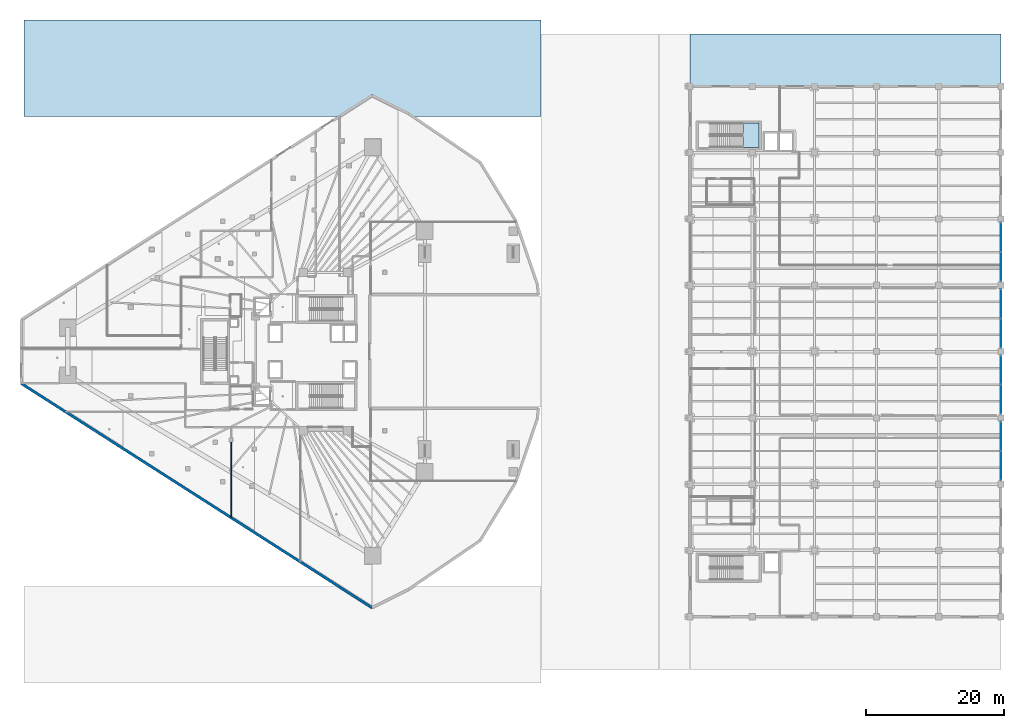
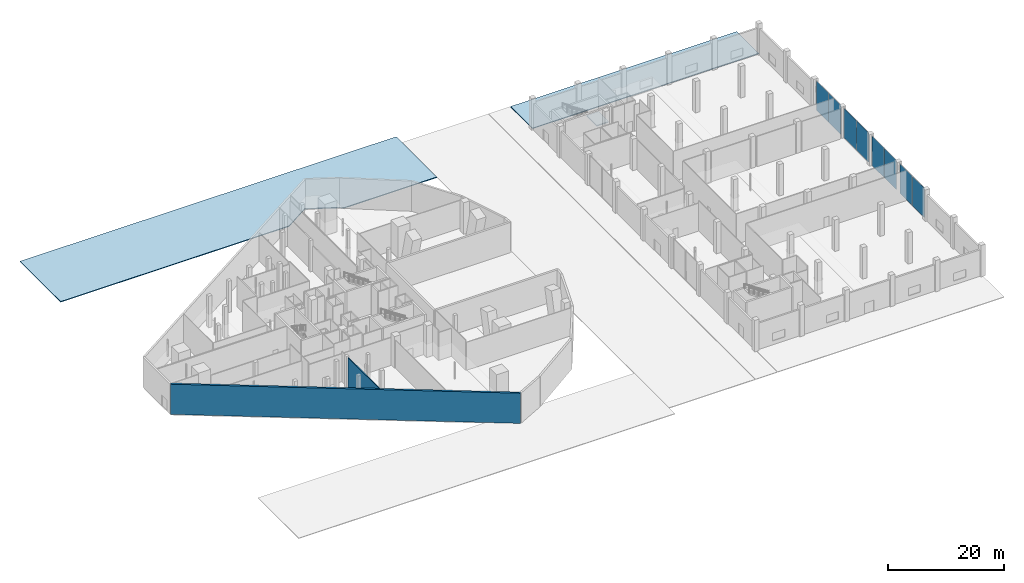
# One storey, part 25 of 45: 8 plates, 3 slabs, 2 walls, 5 elements without a shape of their own.
"""IFC4 building model written with IfcOpenShell, lengths in metres."""

import ifcopenshell
import ifcopenshell.guid

model = None  # the IFC model being written
_history = None  # IfcOwnerHistory: only IFC2X3 demands one
_inside = {}  # id of a spatial element -> (the spatial element, [elements in it])
_under = {}  # id of a project, library or spatial element -> (it, [spatial elements below it])
_declared = {}  # id of a project -> (the project, [libraries it declares])
_typed = {}  # id of a type object -> (the type object, [elements of that type])
_made_of = {}  # id of a material, layer set ... -> (it, [elements and type objects made of it])


def new_model(schema):
    """Start an empty IFC model of exactly this schema.

    Asked for "IFC4X3", IfcOpenShell would pick the latest addendum, in which some entities
    have other attributes; the version numbers below select the first issue.
    IFC2X3 requires an IfcOwnerHistory on every rooted entity: one is made here for all.
    """
    global model, _history
    if schema == "IFC4X3":
        model = ifcopenshell.file(schema_version=(4, 3, 0, 0))
    else:
        model = ifcopenshell.file(schema=schema)
    _inside.clear()
    _under.clear()
    _declared.clear()
    _typed.clear()
    _made_of.clear()
    _history = None
    if model.schema == "IFC2X3":
        org = make("IfcOrganization", Name="unknown")
        user = make(
            "IfcPersonAndOrganization",
            ThePerson=make("IfcPerson", FamilyName="unknown"),
            TheOrganization=org,
        )
        app = make(
            "IfcApplication",
            ApplicationDeveloper=org,
            Version="unknown",
            ApplicationFullName="unknown",
            ApplicationIdentifier="unknown",
        )
        _history = make(
            "IfcOwnerHistory",
            OwningUser=user,
            OwningApplication=app,
            ChangeAction="ADDED",
            CreationDate=0,
        )
    return model


def make(cls, **values):
    """One entity of the class cls with the attributes given. An attribute that is None is left unset."""
    return model.create_entity(
        cls, **{name: value for name, value in values.items() if value is not None}
    )


def rooted(cls, **values):
    """An entity with a GlobalId (a new one), such as an element, a storey or a relation."""
    return make(cls, GlobalId=ifcopenshell.guid.new(), OwnerHistory=_history, **values)


def si_unit(unit_type, name, prefix=None):
    """IfcSIUnit, for example si_unit("LENGTHUNIT", "METRE", prefix="MILLI")."""
    return make("IfcSIUnit", UnitType=unit_type, Prefix=prefix, Name=name)


def assignment(units):
    """IfcUnitAssignment: the units of a project."""
    return None if units is None else make("IfcUnitAssignment", Units=units)


def point(xyz):
    """IfcCartesianPoint."""
    return None if xyz is None else make("IfcCartesianPoint", Coordinates=xyz)


def direction(xyz):
    """IfcDirection."""
    return None if xyz is None else make("IfcDirection", DirectionRatios=xyz)


def frame(location, z_axis=None, x_axis=None):
    """IfcAxis2Placement3D, a coordinate frame: its origin and axes. An axis left out is left unset."""
    return make(
        "IfcAxis2Placement3D",
        Location=point(location),
        Axis=direction(z_axis),
        RefDirection=direction(x_axis),
    )


def frame_2d(location, x_axis=None):
    """IfcAxis2Placement2D, a coordinate frame in the plane: its origin and x axis."""
    return make(
        "IfcAxis2Placement2D", Location=point(location), RefDirection=direction(x_axis)
    )


def origin():
    """The frame at (0, 0, 0) with its axes left unset."""
    return frame((0.0, 0.0, 0.0))


def origin_2d():
    """The frame at (0, 0) in the plane with its x axis left unset."""
    return frame_2d((0.0, 0.0))


def place(relative_to, where):
    """IfcLocalPlacement: puts the frame where relative to a parent placement (None: the world)."""
    return make(
        "IfcLocalPlacement", PlacementRelTo=relative_to, RelativePlacement=where
    )


def context(
    kind, dimensions, precision=None, world=None, true_north=None, identifier=None
):
    """IfcGeometricRepresentationContext, for example the 3D "Model" context."""
    return make(
        "IfcGeometricRepresentationContext",
        ContextIdentifier=identifier,
        ContextType=kind,
        CoordinateSpaceDimension=dimensions,
        Precision=precision,
        WorldCoordinateSystem=world,
        TrueNorth=true_north,
    )


def subcontext(parent, identifier, kind, view, scale=None):
    """IfcGeometricRepresentationSubContext, for example "Body" below "Model"."""
    return make(
        "IfcGeometricRepresentationSubContext",
        ContextIdentifier=identifier,
        ContextType=kind,
        ParentContext=parent,
        TargetScale=scale,
        TargetView=view,
    )


def project(units=None, contexts=None):
    """IfcProject with its units and contexts."""
    return rooted(
        "IfcProject",
        Name="project",
        RepresentationContexts=contexts,
        UnitsInContext=assignment(units),
    )


def spatial(cls, under=None, at=None, **own):
    """A site, building, storey or space (cls), placed at a placement, below another one or the project."""
    s = rooted(cls, ObjectPlacement=at, **own)
    if under is not None:
        _under.setdefault(under.id(), (under, []))[1].append(s)
    return s


def polyline(points):
    """IfcPolyline through the points."""
    return make("IfcPolyline", Points=[point(p) for p in points])


def profile(cls, at=None, kind="AREA", **sizes):
    """A parametric profile (cls). Its sizes go by their IFC names, for example OverallWidth=200.0."""
    return make(cls, ProfileType=kind, Position=at, **sizes)


def rectangle(**sizes):
    """IfcRectangleProfileDef."""
    return profile("IfcRectangleProfileDef", **sizes)


def outline(outer, holes=None, kind="AREA"):
    """IfcArbitraryClosedProfileDef: a profile drawn as a closed curve; with holes, ...WithVoids."""
    if holes is None:
        return make("IfcArbitraryClosedProfileDef", ProfileType=kind, OuterCurve=outer)
    return make(
        "IfcArbitraryProfileDefWithVoids",
        ProfileType=kind,
        OuterCurve=outer,
        InnerCurves=holes,
    )


def extrude(swept, where, along, depth):
    """IfcExtrudedAreaSolid: the profile swept, set in the frame where, extruded along a direction by depth."""
    return make(
        "IfcExtrudedAreaSolid",
        SweptArea=swept,
        Position=where,
        ExtrudedDirection=direction(along),
        Depth=depth,
    )


def shape(context_of_items, identifier, shape_type, items):
    """IfcShapeRepresentation: the items that make up one representation, for example the "Body"."""
    return make(
        "IfcShapeRepresentation",
        ContextOfItems=context_of_items,
        RepresentationIdentifier=identifier,
        RepresentationType=shape_type,
        Items=items,
    )


def material(Name=None, Category=None):
    """IfcMaterial."""
    return make("IfcMaterial", Name=Name, Category=Category)


def layer(
    of_material, thickness, ventilated=None, Name=None, Category=None, Priority=None
):
    """IfcMaterialLayer: one layer of a wall or slab, of a material (None: an air gap)."""
    return make(
        "IfcMaterialLayer",
        Material=of_material,
        LayerThickness=thickness,
        IsVentilated=ventilated,
        Name=Name,
        Category=Category,
        Priority=Priority,
    )


def layer_set(layers, Name=None):
    """IfcMaterialLayerSet."""
    return make("IfcMaterialLayerSet", MaterialLayers=layers, LayerSetName=Name)


def made_of(thing, what):
    """Note that an element or type object is made of a material, layer set ...; save() writes the relation."""
    if what is not None:
        _made_of.setdefault(what.id(), (what, []))[1].append(thing)
    return thing


def type_object(cls, material=None, **own):
    """A type object (cls), such as IfcWallType, which elements share."""
    return made_of(rooted(cls, **own), material)


def element(
    cls,
    number,
    at=None,
    inside=None,
    cuts=None,
    type_object=None,
    material=None,
    context=None,
    identifier="Body",
    shape_type=None,
    held_by="IfcProductDefinitionShape",
    body=None,
    shapes=None,
    **own,
):
    """One element of the class cls, such as IfcWall. Its Tag is "e" and its number.

    at: its placement. inside: the storey or other place that contains it. cuts: it is an
    opening in that element (IfcRelVoidsElement). A single representation is given by context,
    identifier, shape_type and body (its items); several are given by shapes. held_by: the class
    of the entity that holds the representations. save() writes the other relations.
    """
    e = rooted(cls, Tag="e%d" % number, ObjectPlacement=at, **own)
    if body is not None:
        shapes = [shape(context, identifier, shape_type, body)]
    if shapes is not None:
        e.Representation = make(held_by, Representations=shapes)
    if inside is not None:
        _inside.setdefault(inside.id(), (inside, []))[1].append(e)
    if cuts is not None:
        rooted(
            "IfcRelVoidsElement", RelatingBuildingElement=cuts, RelatedOpeningElement=e
        )
    if type_object is not None:
        _typed.setdefault(type_object.id(), (type_object, []))[1].append(e)
    return made_of(e, material)


def aggregate(whole, parts):
    """IfcRelAggregates: a whole, such as a stair, and the parts it consists of."""
    return rooted("IfcRelAggregates", RelatingObject=whole, RelatedObjects=parts)


def save(model, path):
    """Write the relations noted so far, then the file.

    IfcRelAggregates (storeys below a building ...), IfcRelContainedInSpatialStructure (elements
    in a storey), IfcRelDefinesByType, IfcRelAssociatesMaterial and IfcRelDeclares: one each for
    every whole, place, type object, material and project.
    """
    for whole, parts in _under.values():
        aggregate(whole, parts)
    for where, things in _inside.values():
        rooted(
            "IfcRelContainedInSpatialStructure",
            RelatedElements=things,
            RelatingStructure=where,
        )
    for kind, things in _typed.values():
        rooted("IfcRelDefinesByType", RelatedObjects=things, RelatingType=kind)
    for what, things in _made_of.values():
        rooted("IfcRelAssociatesMaterial", RelatedObjects=things, RelatingMaterial=what)
    for by, libraries in _declared.values():
        rooted("IfcRelDeclares", RelatingContext=by, RelatedDefinitions=libraries)
    model.write(path)


model = new_model("IFC4")

# Units and contexts
model_context = context("Model", 3, precision=1e-05, world=origin(), true_north=direction((0.0, 1.0)))
body_context = subcontext(model_context, "Body", "Model", "MODEL_VIEW")
ifc_project = project(units=[si_unit("LENGTHUNIT", "METRE"), si_unit("AREAUNIT", "SQUARE_METRE"), si_unit("VOLUMEUNIT", "CUBIC_METRE"), si_unit("PLANEANGLEUNIT", "RADIAN"), si_unit("MASSUNIT", "GRAM", prefix="KILO")], contexts=[model_context])

# Site, building, storey
site_placement = place(None, origin())
site = spatial("IfcSite", under=ifc_project, at=site_placement, CompositionType="ELEMENT")
building_placement = place(site_placement, origin())
building = spatial("IfcBuilding", under=site, at=building_placement, Name="Qorvath Tower", CompositionType="ELEMENT")
storey_placement = place(building_placement, origin())
storey = spatial("IfcBuildingStorey", under=building, at=storey_placement, Name="L00", CompositionType="ELEMENT", Elevation=0.0)

# Curtain wall, plates
ifc_material_1 = material(Name="Anodised aluminium and triple low-E glass", Category="aluminium")
ifc_layer_1 = layer(ifc_material_1, 0.179931640625)
ifc_layer_set_1 = layer_set([ifc_layer_1], Name="CW-SYS-6")
curtain_wall_type = type_object("IfcCurtainWallType", Name="CW-SYS-6", PredefinedType="NOTDEFINED", material=ifc_layer_set_1)
curtain_wall_1_placement = place(storey_placement, origin())
curtain_wall_1 = element("IfcCurtainWall", 1, at=curtain_wall_1_placement, inside=storey, type_object=curtain_wall_type, Name="Curtain Wall CW-6 CW-LIB-E-L00-3", PredefinedType="NOTDEFINED")
ifc_material_2 = material(Name="Low-E triple insulated glass", Category="glass")
ifc_layer_2 = layer(ifc_material_2, 0.031982421875)
ifc_layer_set_2 = layer_set([ifc_layer_2], Name="CWP-GLZ-32")
plate_type = type_object("IfcPlateType", Name="CWP-GLZ-32", PredefinedType="CURTAIN_PANEL", material=ifc_layer_set_2)
plate_1_placement = place(storey_placement, frame((77.39990234375, -16.532470703125, 0.06494140625), z_axis=(0.0, 0.0, 1.0), x_axis=(0.0, 1.0, 0.0)))
plate_1 = element("IfcPlate", 2, at=plate_1_placement, type_object=plate_type, Name="CW-6 panel 1.1", PredefinedType="CURTAIN_PANEL", context=body_context, shape_type="SweptSolid", body=[
    extrude(rectangle(XDim=4.18505859375, YDim=0.031982421875, at=origin_2d()), origin(), (0.0, 0.0, 1.0), 6.210205078125),
])
plate_2_placement = place(storey_placement, frame((77.39990234375, -12.267578125, 0.06494140625), z_axis=(0.0, 0.0, 1.0), x_axis=(0.0, 1.0, 0.0)))
plate_2 = element("IfcPlate", 3, at=plate_2_placement, type_object=plate_type, Name="CW-6 panel 2.1", PredefinedType="CURTAIN_PANEL", context=body_context, shape_type="SweptSolid", body=[
    extrude(rectangle(XDim=4.18505859375, YDim=0.031982421875, at=origin_2d()), origin(), (0.0, 0.0, 1.0), 6.210205078125),
])
aggregate(curtain_wall_1, [plate_1, plate_2])

curtain_wall_2_placement = place(storey_placement, origin())
curtain_wall_2 = element("IfcCurtainWall", 4, at=curtain_wall_2_placement, inside=storey, type_object=curtain_wall_type, Name="Curtain Wall CW-6 CW-LIB-E-L00-4", PredefinedType="NOTDEFINED")
plate_3_placement = place(storey_placement, frame((77.39990234375, -6.9326171875, 0.06494140625), z_axis=(0.0, 0.0, 1.0), x_axis=(0.0, 1.0, 0.0)))
plate_3 = element("IfcPlate", 5, at=plate_3_placement, type_object=plate_type, Name="CW-6 panel 1.1", PredefinedType="CURTAIN_PANEL", context=body_context, shape_type="SweptSolid", body=[
    extrude(rectangle(XDim=4.18505859375, YDim=0.031982421875, at=origin_2d()), origin(), (0.0, 0.0, 1.0), 6.210205078125),
])
plate_4_placement = place(storey_placement, frame((77.39990234375, -2.66748046875, 0.06494140625), z_axis=(0.0, 0.0, 1.0), x_axis=(0.0, 1.0, 0.0)))
plate_4 = element("IfcPlate", 6, at=plate_4_placement, type_object=plate_type, Name="CW-6 panel 2.1", PredefinedType="CURTAIN_PANEL", context=body_context, shape_type="SweptSolid", body=[
    extrude(rectangle(XDim=4.18505859375, YDim=0.031982421875, at=origin_2d()), origin(), (0.0, 0.0, 1.0), 6.210205078125),
])
aggregate(curtain_wall_2, [plate_3, plate_4])

curtain_wall_3_placement = place(storey_placement, origin())
curtain_wall_3 = element("IfcCurtainWall", 7, at=curtain_wall_3_placement, inside=storey, type_object=curtain_wall_type, Name="Curtain Wall CW-6 CW-LIB-E-L00-5", PredefinedType="NOTDEFINED")
plate_5_placement = place(storey_placement, frame((77.39990234375, 2.66748046875, 0.06494140625), z_axis=(0.0, 0.0, 1.0), x_axis=(0.0, 1.0, 0.0)))
plate_5 = element("IfcPlate", 8, at=plate_5_placement, type_object=plate_type, Name="CW-6 panel 1.1", PredefinedType="CURTAIN_PANEL", context=body_context, shape_type="SweptSolid", body=[
    extrude(rectangle(XDim=4.18505859375, YDim=0.031982421875, at=origin_2d()), origin(), (0.0, 0.0, 1.0), 6.210205078125),
])
plate_6_placement = place(storey_placement, frame((77.39990234375, 6.9326171875, 0.06494140625), z_axis=(0.0, 0.0, 1.0), x_axis=(0.0, 1.0, 0.0)))
plate_6 = element("IfcPlate", 9, at=plate_6_placement, type_object=plate_type, Name="CW-6 panel 2.1", PredefinedType="CURTAIN_PANEL", context=body_context, shape_type="SweptSolid", body=[
    extrude(rectangle(XDim=4.18505859375, YDim=0.031982421875, at=origin_2d()), origin(), (0.0, 0.0, 1.0), 6.210205078125),
])
aggregate(curtain_wall_3, [plate_5, plate_6])

curtain_wall_4_placement = place(storey_placement, origin())
curtain_wall_4 = element("IfcCurtainWall", 10, at=curtain_wall_4_placement, inside=storey, type_object=curtain_wall_type, Name="Curtain Wall CW-6 CW-LIB-E-L00-6", PredefinedType="NOTDEFINED")
plate_7_placement = place(storey_placement, frame((77.39990234375, 12.267578125, 0.06494140625), z_axis=(0.0, 0.0, 1.0), x_axis=(0.0, 1.0, 0.0)))
plate_7 = element("IfcPlate", 11, at=plate_7_placement, type_object=plate_type, Name="CW-6 panel 1.1", PredefinedType="CURTAIN_PANEL", context=body_context, shape_type="SweptSolid", body=[
    extrude(rectangle(XDim=4.18505859375, YDim=0.031982421875, at=origin_2d()), origin(), (0.0, 0.0, 1.0), 6.210205078125),
])
plate_8_placement = place(storey_placement, frame((77.39990234375, 16.532470703125, 0.06494140625), z_axis=(0.0, 0.0, 1.0), x_axis=(0.0, 1.0, 0.0)))
plate_8 = element("IfcPlate", 12, at=plate_8_placement, type_object=plate_type, Name="CW-6 panel 2.1", PredefinedType="CURTAIN_PANEL", context=body_context, shape_type="SweptSolid", body=[
    extrude(rectangle(XDim=4.18505859375, YDim=0.031982421875, at=origin_2d()), origin(), (0.0, 0.0, 1.0), 6.210205078125),
])
aggregate(curtain_wall_4, [plate_7, plate_8])

# Stair, slab
ifc_material_3 = material(Name="Concrete C50/60", Category="concrete")
stair_type = type_object("IfcStairType", Name="ST-H660", PredefinedType="HALF_TURN_STAIR", material=ifc_material_3)
stair_placement = place(storey_placement, origin())
stair = element("IfcStair", 13, at=stair_placement, inside=storey, type_object=stair_type, Name="L00 Library Exit Stair 1", PredefinedType="HALF_TURN_STAIR")
ifc_material_4 = material(Name="Concrete C50/60", Category="concrete")
ifc_layer_3 = layer(ifc_material_4, 0.199951171875)
ifc_layer_set_3 = layer_set([ifc_layer_3], Name="SL-LND-200")
slab_type_1 = type_object("IfcSlabType", Name="SL-LND-200", PredefinedType="LANDING", material=ifc_layer_set_3)
slab_1_placement = place(storey_placement, frame((0.0, 0.0, 3.10009765625)))
slab_1 = element("IfcSlab", 14, at=slab_1_placement, type_object=slab_type_1, Name="LS1 landing 1", PredefinedType="LANDING", context=body_context, shape_type="SweptSolid", body=[
    extrude(outline(polyline([(40.0400390625, 29.550048828125), (42.39990234375, 29.550048828125), (42.39990234375, 33.06005859375), (40.0400390625, 33.06005859375), (40.0400390625, 29.550048828125)])), origin(), (0.0, 0.0, 1.0), 0.199951171875),
])
aggregate(stair, [slab_1])

# Slabs
ifc_material_5 = material(Name="Concrete C45/55", Category="concrete")
ifc_layer_4 = layer(ifc_material_5, 0.14990234375)
ifc_layer_set_4 = layer_set([ifc_layer_4], Name="SL-PAV-150")
slab_type_2 = type_object("IfcSlabType", Name="SL-PAV-150", PredefinedType="USERDEFINED", material=ifc_layer_set_4)
slab_2_placement = place(storey_placement, frame((0.0, 0.0, -0.14990234375)))
element("IfcSlab", 15, at=slab_2_placement, inside=storey, type_object=slab_type_2, Name="Civic Plaza Granite Paving W03", ObjectType="PAVING", PredefinedType="USERDEFINED", context=body_context, shape_type="SweptSolid", body=[
    extrude(outline(polyline([(10.800048828125, 48.0), (-64.0, 48.0), (-64.0, 34.0), (-18.569580078125, 34.0), (-13.662109375, 37.136474609375), (-13.635498046875, 37.144287109375), (-13.61279296875, 37.13916015625), (-8.313720703125, 34.489501953125), (-7.59375, 34.0), (10.800048828125, 34.0), (10.800048828125, 48.0)])), origin(), (0.0, 0.0, 1.0), 0.14990234375),
])
slab_3_placement = place(storey_placement, frame((0.0, 0.0, -0.14990234375)))
element("IfcSlab", 16, at=slab_3_placement, inside=storey, type_object=slab_type_2, Name="Civic Plaza Granite Paving E06", ObjectType="PAVING", PredefinedType="USERDEFINED", context=body_context, shape_type="SweptSolid", body=[
    extrude(outline(polyline([(32.39990234375, 46.0), (32.39990234375, 38.449951171875), (77.39990234375, 38.449951171875), (77.39990234375, 46.0), (32.39990234375, 46.0)])), origin(), (0.0, 0.0, 1.0), 0.14990234375),
])

# Walls
ifc_material_6 = material(Name="Double acoustic gypsum board on steel studs", Category="steel")
ifc_layer_5 = layer(ifc_material_6, 0.159912109375)
ifc_layer_set_5 = layer_set([ifc_layer_5], Name="IW-ACOUSTIC-160")
wall_type_1 = type_object("IfcWallType", Name="IW-ACOUSTIC-160", PredefinedType="PARTITIONING", material=ifc_layer_set_5)
wall_1_placement = place(storey_placement, frame((-34.0, -23.99853515625, 0.0), z_axis=(0.0, 0.0, 1.0), x_axis=(0.0, 1.0, 0.0)))
element("IfcWall", 17, at=wall_1_placement, inside=storey, type_object=wall_type_1, Name="Interior Partition IW-T1-L00-028", PredefinedType="PARTITIONING", context=body_context, shape_type="SweptSolid", body=[
    extrude(rectangle(XDim=10.865966796875, YDim=0.159912109375, at=frame_2d((5.43310546875, 0.0))), origin(), (0.0, 0.0, 1.0), 6.340087890625),
])
ifc_material_7 = material(Name="Precast concrete C50/60", Category="concrete")
ifc_layer_6 = layer(ifc_material_7, 0.3798828125)
ifc_layer_set_6 = layer_set([ifc_layer_6], Name="WL-EW-POD-380")
wall_type_2 = type_object("IfcWallType", Name="WL-EW-POD-380", PredefinedType="SOLIDWALL", material=ifc_layer_set_6)
wall_2_placement = place(storey_placement, frame((-13.63525390625, -37.094482421875, 0.0), z_axis=(0.0, 0.0, 1.0), x_axis=(-0.842602364841, 0.538536214905, 0.0)))
element("IfcWall", 18, at=wall_2_placement, inside=storey, type_object=wall_type_2, Name="Tower Podium Precast Facade Wall L00-11.1", PredefinedType="SOLIDWALL", context=body_context, shape_type="SweptSolid", body=[
    extrude(rectangle(XDim=60.270263671875, YDim=0.3798828125, at=frame_2d((30.13525390625, 0.0))), origin(), (0.0, 0.0, 1.0), 6.340087890625),
])

save(model, "model.ifc")
